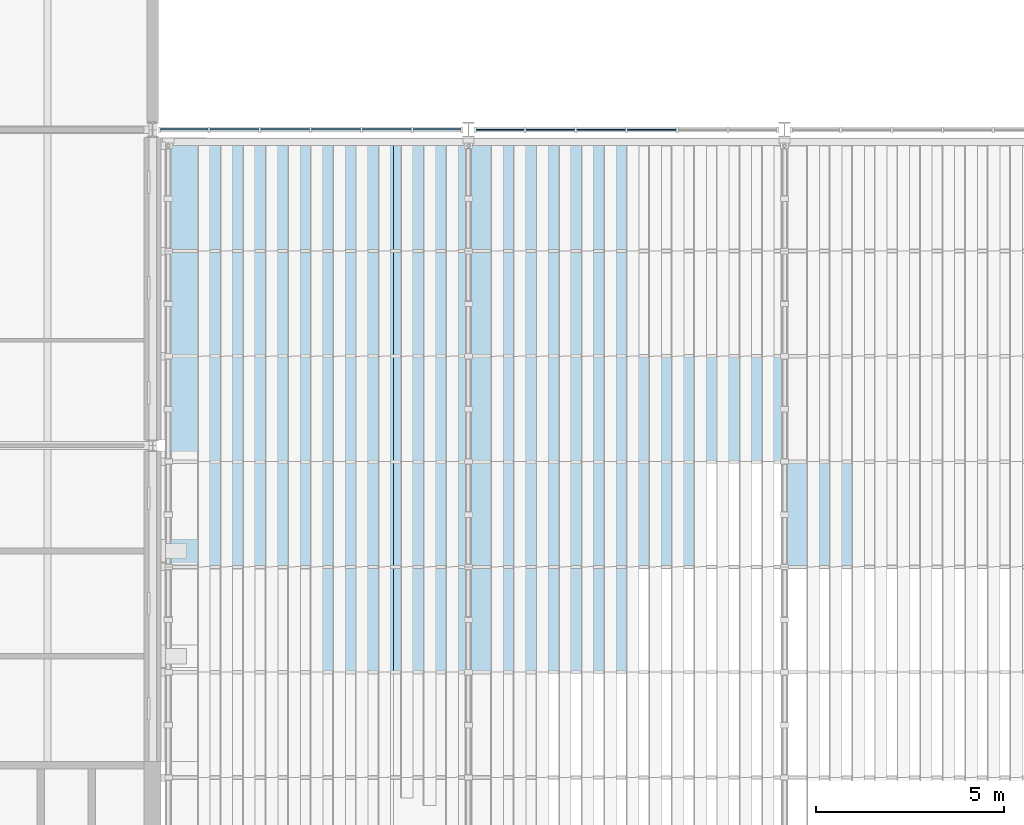
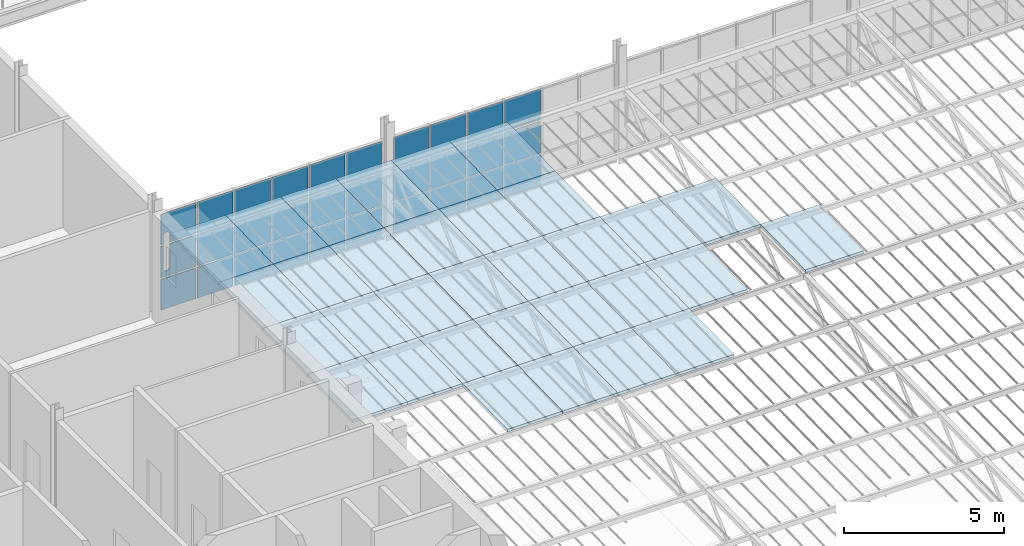
# One storey, part 68 of 129: 62 plates, 2 elements without a shape of their own.
"""IFC4 building model written with IfcOpenShell, lengths in metres."""

import ifcopenshell
import ifcopenshell.guid

model = None  # the IFC model being written
_history = None  # IfcOwnerHistory: only IFC2X3 demands one
_inside = {}  # id of a spatial element -> (the spatial element, [elements in it])
_under = {}  # id of a project, library or spatial element -> (it, [spatial elements below it])
_declared = {}  # id of a project -> (the project, [libraries it declares])
_typed = {}  # id of a type object -> (the type object, [elements of that type])
_made_of = {}  # id of a material, layer set ... -> (it, [elements and type objects made of it])


def new_model(schema):
    """Start an empty IFC model of exactly this schema.

    Asked for "IFC4X3", IfcOpenShell would pick the latest addendum, in which some entities
    have other attributes; the version numbers below select the first issue.
    IFC2X3 requires an IfcOwnerHistory on every rooted entity: one is made here for all.
    """
    global model, _history
    if schema == "IFC4X3":
        model = ifcopenshell.file(schema_version=(4, 3, 0, 0))
    else:
        model = ifcopenshell.file(schema=schema)
    _inside.clear()
    _under.clear()
    _declared.clear()
    _typed.clear()
    _made_of.clear()
    _history = None
    if model.schema == "IFC2X3":
        org = make("IfcOrganization", Name="unknown")
        user = make(
            "IfcPersonAndOrganization",
            ThePerson=make("IfcPerson", FamilyName="unknown"),
            TheOrganization=org,
        )
        app = make(
            "IfcApplication",
            ApplicationDeveloper=org,
            Version="unknown",
            ApplicationFullName="unknown",
            ApplicationIdentifier="unknown",
        )
        _history = make(
            "IfcOwnerHistory",
            OwningUser=user,
            OwningApplication=app,
            ChangeAction="ADDED",
            CreationDate=0,
        )
    return model


def make(cls, **values):
    """One entity of the class cls with the attributes given. An attribute that is None is left unset."""
    return model.create_entity(
        cls, **{name: value for name, value in values.items() if value is not None}
    )


def rooted(cls, **values):
    """An entity with a GlobalId (a new one), such as an element, a storey or a relation."""
    return make(cls, GlobalId=ifcopenshell.guid.new(), OwnerHistory=_history, **values)


def si_unit(unit_type, name, prefix=None):
    """IfcSIUnit, for example si_unit("LENGTHUNIT", "METRE", prefix="MILLI")."""
    return make("IfcSIUnit", UnitType=unit_type, Prefix=prefix, Name=name)


def assignment(units):
    """IfcUnitAssignment: the units of a project."""
    return None if units is None else make("IfcUnitAssignment", Units=units)


def point(xyz):
    """IfcCartesianPoint."""
    return None if xyz is None else make("IfcCartesianPoint", Coordinates=xyz)


def direction(xyz):
    """IfcDirection."""
    return None if xyz is None else make("IfcDirection", DirectionRatios=xyz)


def frame(location, z_axis=None, x_axis=None):
    """IfcAxis2Placement3D, a coordinate frame: its origin and axes. An axis left out is left unset."""
    return make(
        "IfcAxis2Placement3D",
        Location=point(location),
        Axis=direction(z_axis),
        RefDirection=direction(x_axis),
    )


def frame_2d(location, x_axis=None):
    """IfcAxis2Placement2D, a coordinate frame in the plane: its origin and x axis."""
    return make(
        "IfcAxis2Placement2D", Location=point(location), RefDirection=direction(x_axis)
    )


def origin():
    """The frame at (0, 0, 0) with its axes left unset."""
    return frame((0.0, 0.0, 0.0))


def origin_2d():
    """The frame at (0, 0) in the plane with its x axis left unset."""
    return frame_2d((0.0, 0.0))


def place(relative_to, where):
    """IfcLocalPlacement: puts the frame where relative to a parent placement (None: the world)."""
    return make(
        "IfcLocalPlacement", PlacementRelTo=relative_to, RelativePlacement=where
    )


def context(
    kind, dimensions, precision=None, world=None, true_north=None, identifier=None
):
    """IfcGeometricRepresentationContext, for example the 3D "Model" context."""
    return make(
        "IfcGeometricRepresentationContext",
        ContextIdentifier=identifier,
        ContextType=kind,
        CoordinateSpaceDimension=dimensions,
        Precision=precision,
        WorldCoordinateSystem=world,
        TrueNorth=true_north,
    )


def subcontext(parent, identifier, kind, view, scale=None):
    """IfcGeometricRepresentationSubContext, for example "Body" below "Model"."""
    return make(
        "IfcGeometricRepresentationSubContext",
        ContextIdentifier=identifier,
        ContextType=kind,
        ParentContext=parent,
        TargetScale=scale,
        TargetView=view,
    )


def project(units=None, contexts=None):
    """IfcProject with its units and contexts."""
    return rooted(
        "IfcProject",
        Name="project",
        RepresentationContexts=contexts,
        UnitsInContext=assignment(units),
    )


def spatial(cls, under=None, at=None, **own):
    """A site, building, storey or space (cls), placed at a placement, below another one or the project."""
    s = rooted(cls, ObjectPlacement=at, **own)
    if under is not None:
        _under.setdefault(under.id(), (under, []))[1].append(s)
    return s


def polyline(points):
    """IfcPolyline through the points."""
    return make("IfcPolyline", Points=[point(p) for p in points])


def profile(cls, at=None, kind="AREA", **sizes):
    """A parametric profile (cls). Its sizes go by their IFC names, for example OverallWidth=200.0."""
    return make(cls, ProfileType=kind, Position=at, **sizes)


def rectangle(**sizes):
    """IfcRectangleProfileDef."""
    return profile("IfcRectangleProfileDef", **sizes)


def outline(outer, holes=None, kind="AREA"):
    """IfcArbitraryClosedProfileDef: a profile drawn as a closed curve; with holes, ...WithVoids."""
    if holes is None:
        return make("IfcArbitraryClosedProfileDef", ProfileType=kind, OuterCurve=outer)
    return make(
        "IfcArbitraryProfileDefWithVoids",
        ProfileType=kind,
        OuterCurve=outer,
        InnerCurves=holes,
    )


def extrude(swept, where, along, depth):
    """IfcExtrudedAreaSolid: the profile swept, set in the frame where, extruded along a direction by depth."""
    return make(
        "IfcExtrudedAreaSolid",
        SweptArea=swept,
        Position=where,
        ExtrudedDirection=direction(along),
        Depth=depth,
    )


def shape(context_of_items, identifier, shape_type, items):
    """IfcShapeRepresentation: the items that make up one representation, for example the "Body"."""
    return make(
        "IfcShapeRepresentation",
        ContextOfItems=context_of_items,
        RepresentationIdentifier=identifier,
        RepresentationType=shape_type,
        Items=items,
    )


def material(Name=None, Category=None):
    """IfcMaterial."""
    return make("IfcMaterial", Name=Name, Category=Category)


def layer(
    of_material, thickness, ventilated=None, Name=None, Category=None, Priority=None
):
    """IfcMaterialLayer: one layer of a wall or slab, of a material (None: an air gap)."""
    return make(
        "IfcMaterialLayer",
        Material=of_material,
        LayerThickness=thickness,
        IsVentilated=ventilated,
        Name=Name,
        Category=Category,
        Priority=Priority,
    )


def layer_set(layers, Name=None):
    """IfcMaterialLayerSet."""
    return make("IfcMaterialLayerSet", MaterialLayers=layers, LayerSetName=Name)


def made_of(thing, what):
    """Note that an element or type object is made of a material, layer set ...; save() writes the relation."""
    if what is not None:
        _made_of.setdefault(what.id(), (what, []))[1].append(thing)
    return thing


def type_object(cls, material=None, **own):
    """A type object (cls), such as IfcWallType, which elements share."""
    return made_of(rooted(cls, **own), material)


def element(
    cls,
    number,
    at=None,
    inside=None,
    cuts=None,
    type_object=None,
    material=None,
    context=None,
    identifier="Body",
    shape_type=None,
    held_by="IfcProductDefinitionShape",
    body=None,
    shapes=None,
    **own,
):
    """One element of the class cls, such as IfcWall. Its Tag is "e" and its number.

    at: its placement. inside: the storey or other place that contains it. cuts: it is an
    opening in that element (IfcRelVoidsElement). A single representation is given by context,
    identifier, shape_type and body (its items); several are given by shapes. held_by: the class
    of the entity that holds the representations. save() writes the other relations.
    """
    e = rooted(cls, Tag="e%d" % number, ObjectPlacement=at, **own)
    if body is not None:
        shapes = [shape(context, identifier, shape_type, body)]
    if shapes is not None:
        e.Representation = make(held_by, Representations=shapes)
    if inside is not None:
        _inside.setdefault(inside.id(), (inside, []))[1].append(e)
    if cuts is not None:
        rooted(
            "IfcRelVoidsElement", RelatingBuildingElement=cuts, RelatedOpeningElement=e
        )
    if type_object is not None:
        _typed.setdefault(type_object.id(), (type_object, []))[1].append(e)
    return made_of(e, material)


def aggregate(whole, parts):
    """IfcRelAggregates: a whole, such as a stair, and the parts it consists of."""
    return rooted("IfcRelAggregates", RelatingObject=whole, RelatedObjects=parts)


def save(model, path):
    """Write the relations noted so far, then the file.

    IfcRelAggregates (storeys below a building ...), IfcRelContainedInSpatialStructure (elements
    in a storey), IfcRelDefinesByType, IfcRelAssociatesMaterial and IfcRelDeclares: one each for
    every whole, place, type object, material and project.
    """
    for whole, parts in _under.values():
        aggregate(whole, parts)
    for where, things in _inside.values():
        rooted(
            "IfcRelContainedInSpatialStructure",
            RelatedElements=things,
            RelatingStructure=where,
        )
    for kind, things in _typed.values():
        rooted("IfcRelDefinesByType", RelatedObjects=things, RelatingType=kind)
    for what, things in _made_of.values():
        rooted("IfcRelAssociatesMaterial", RelatedObjects=things, RelatingMaterial=what)
    for by, libraries in _declared.values():
        rooted("IfcRelDeclares", RelatingContext=by, RelatedDefinitions=libraries)
    model.write(path)


model = new_model("IFC4")

# Units and contexts
model_context = context("Model", 3, precision=1e-05, world=origin(), true_north=direction((0.0, 1.0)))
body_context = subcontext(model_context, "Body", "Model", "MODEL_VIEW")
ifc_project = project(units=[si_unit("LENGTHUNIT", "METRE"), si_unit("AREAUNIT", "SQUARE_METRE"), si_unit("VOLUMEUNIT", "CUBIC_METRE"), si_unit("PLANEANGLEUNIT", "RADIAN"), si_unit("MASSUNIT", "GRAM", prefix="KILO")], contexts=[model_context])

# Site, building, storey
site_placement = place(None, origin())
site = spatial("IfcSite", under=ifc_project, at=site_placement, CompositionType="ELEMENT")
building_placement = place(site_placement, origin())
building = spatial("IfcBuilding", under=site, at=building_placement, Name="Ardhachandra Cancer Care Centre", CompositionType="ELEMENT")
storey_placement = place(building_placement, frame((0.0, 0.0, 4.5)))
storey = spatial("IfcBuildingStorey", under=building, at=storey_placement, Name="L01", CompositionType="ELEMENT", Elevation=4.5)

# Plates
ifc_material_1 = material(Name="Glass, laminated low-e insulating unit", Category="glass")
ifc_layer_1 = layer(ifc_material_1, 0.1201171875)
ifc_layer_set_1 = layer_set([ifc_layer_1], Name="Glass, laminated low-e insulating unit")
plate_type_1 = type_object("IfcPlateType", Name="Court glass cassette 120", PredefinedType="SHEET", material=ifc_layer_set_1)
for number, where, z_axis, x_axis, name in (
    (1, (46.811279296875, 51.375, 3.007568359375), (0.0, -0.019934189218, 0.999801294308), (-1.0, 0.0, 0.0), "Court glass cassette 1-1-1"),
    (2, (48.8076171875, 51.375, 3.007568359375), (0.0, -0.019934189218, 0.999801294308), (-1.0, 0.0, 0.0), "Court glass cassette 1-1-2"),
):
    element("IfcPlate", number, at=place(storey_placement, frame(where, z_axis=z_axis, x_axis=x_axis)), inside=storey, type_object=plate_type_1, Name=name, PredefinedType="SHEET", context=body_context, shape_type="SweptSolid", body=[
        extrude(outline(polyline([(0.0, -3.00048828125), (1.996337890625, -3.00048828125), (1.996337890625, 0.0), (0.0, 0.0), (0.0, -3.00048828125)])), frame((0.0, 0.0, -0.1201171875)), (0.0, 0.0, 1.0), 0.1201171875),
    ])
plate_1_placement = place(storey_placement, frame((50.8037109375, 51.375, 3.007568359375), z_axis=(0.0, -0.019934189218, 0.999801294308), x_axis=(-1.0, 0.0, 0.0)))
element("IfcPlate", 3, at=plate_1_placement, inside=storey, type_object=plate_type_1, Name="Court glass cassette 1-1-3", PredefinedType="SHEET", context=body_context, shape_type="SweptSolid", body=[
    extrude(outline(polyline([(0.0, -3.00048828125), (1.99609375, -3.00048828125), (1.99609375, 0.0), (0.0, 0.0), (0.0, -3.00048828125)])), frame((0.0, 0.0, -0.1201171875)), (0.0, 0.0, 1.0), 0.1201171875),
])
plate_2_placement = place(storey_placement, frame((52.800048828125, 51.375, 3.007568359375), z_axis=(0.0, -0.019934189218, 0.999801294308), x_axis=(-1.0, 0.0, 0.0)))
element("IfcPlate", 4, at=plate_2_placement, inside=storey, type_object=plate_type_1, Name="Court glass cassette 1-1-4", PredefinedType="SHEET", context=body_context, shape_type="SweptSolid", body=[
    extrude(outline(polyline([(0.0, -3.00048828125), (1.996337890625, -3.00048828125), (1.996337890625, 0.0), (0.0, 0.0), (0.0, -3.00048828125)])), frame((0.0, 0.0, -0.1201171875)), (0.0, 0.0, 1.0), 0.1201171875),
])
for number, where, z_axis, x_axis, name in (
    (5, (46.811279296875, 51.375, 3.007568359375), (0.0, -0.02005002746, 0.999798977995), (0.0, -0.999798977995, -0.02005002746), "Court glass cassette 1-2-1"),
    (6, (46.811279296875, 48.574951171875, 2.951416015625), (0.0, -0.02005002746, 0.999798977995), (0.0, 0.999798977995, 0.02005002746), "Court glass cassette 1-2-2"),
):
    element("IfcPlate", number, at=place(storey_placement, frame(where, z_axis=z_axis, x_axis=x_axis)), inside=storey, type_object=plate_type_1, Name=name, PredefinedType="SHEET", context=body_context, shape_type="SweptSolid", body=[
        extrude(outline(polyline([(0.0, -1.996337890625), (2.800537109375, -1.996337890625), (2.800537109375, 0.0), (0.0, 0.0), (0.0, -1.996337890625)])), frame((0.0, 0.0, -0.1201171875)), (0.0, 0.0, 1.0), 0.1201171875),
    ])
plate_3_placement = place(storey_placement, frame((48.8076171875, 48.574951171875, 2.951416015625), z_axis=(0.0, -0.02005002746, 0.999798977995), x_axis=(0.0, 0.999798977995, 0.02005002746)))
element("IfcPlate", 7, at=plate_3_placement, inside=storey, type_object=plate_type_1, Name="Court glass cassette 1-2-3", PredefinedType="SHEET", context=body_context, shape_type="SweptSolid", body=[
    extrude(outline(polyline([(0.0, -1.99609375), (2.800537109375, -1.99609375), (2.800537109375, 0.0), (0.0, 0.0), (0.0, -1.99609375)])), frame((0.0, 0.0, -0.1201171875)), (0.0, 0.0, 1.0), 0.1201171875),
])
for number, where, z_axis, x_axis, name in (
    (8, (50.8037109375, 48.574951171875, 2.951416015625), (0.0, -0.02005002746, 0.999798977995), (0.0, 0.999798977995, 0.02005002746), "Court glass cassette 1-2-4"),
    (9, (46.811279296875, 48.574951171875, 2.951416015625), (0.0, -0.019962888244, 0.999800721691), (0.0, -0.999800721691, -0.019962888244), "Court glass cassette 1-3-1"),
    (10, (46.811279296875, 45.77490234375, 2.8955078125), (0.0, -0.019962888244, 0.999800721691), (0.0, 0.999800721691, 0.019962888244), "Court glass cassette 1-3-2"),
):
    element("IfcPlate", number, at=place(storey_placement, frame(where, z_axis=z_axis, x_axis=x_axis)), inside=storey, type_object=plate_type_1, Name=name, PredefinedType="SHEET", context=body_context, shape_type="SweptSolid", body=[
        extrude(outline(polyline([(0.0, -1.996337890625), (2.800537109375, -1.996337890625), (2.800537109375, 0.0), (0.0, 0.0), (0.0, -1.996337890625)])), frame((0.0, 0.0, -0.1201171875)), (0.0, 0.0, 1.0), 0.1201171875),
    ])
plate_4_placement = place(storey_placement, frame((48.8076171875, 45.77490234375, 2.8955078125), z_axis=(0.0, -0.019962888244, 0.999800721691), x_axis=(0.0, 0.999800721691, 0.019962888244)))
element("IfcPlate", 11, at=plate_4_placement, inside=storey, type_object=plate_type_1, Name="Court glass cassette 1-3-3", PredefinedType="SHEET", context=body_context, shape_type="SweptSolid", body=[
    extrude(outline(polyline([(0.0, -1.99609375), (2.800537109375, -1.99609375), (2.800537109375, 0.0), (0.0, 0.0), (0.0, -1.99609375)])), frame((0.0, 0.0, -0.1201171875)), (0.0, 0.0, 1.0), 0.1201171875),
])
plate_5_placement = place(storey_placement, frame((50.8037109375, 45.77490234375, 2.8955078125), z_axis=(0.0, -0.019962888244, 0.999800721691), x_axis=(0.0, 0.999800721691, 0.019962888244)))
element("IfcPlate", 12, at=plate_5_placement, inside=storey, type_object=plate_type_1, Name="Court glass cassette 1-3-4", PredefinedType="SHEET", context=body_context, shape_type="SweptSolid", body=[
    extrude(outline(polyline([(0.0, -1.996337890625), (2.800537109375, -1.996337890625), (2.800537109375, 0.0), (0.0, 0.0), (0.0, -1.996337890625)])), frame((0.0, 0.0, -0.1201171875)), (0.0, 0.0, 1.0), 0.1201171875),
])
for number, where, z_axis, x_axis, name in (
    (13, (46.811279296875, 45.77490234375, 2.8955078125), (0.0, -0.019964628297, 0.999800686946), (0.0, -0.999800686946, -0.019964628297), "Court glass cassette 1-4-1"),
    (14, (46.811279296875, 42.97509765625, 2.839599609375), (0.0, -0.019964628297, 0.999800686946), (0.0, 0.999800686946, 0.019964628297), "Court glass cassette 1-4-2"),
):
    element("IfcPlate", number, at=place(storey_placement, frame(where, z_axis=z_axis, x_axis=x_axis)), inside=storey, type_object=plate_type_1, Name=name, PredefinedType="SHEET", context=body_context, shape_type="SweptSolid", body=[
        extrude(outline(polyline([(0.0, -1.996337890625), (2.80029296875, -1.996337890625), (2.80029296875, 0.0), (0.0, 0.0), (0.0, -1.996337890625)])), frame((0.0, 0.0, -0.1201171875)), (0.0, 0.0, 1.0), 0.1201171875),
    ])
plate_6_placement = place(storey_placement, frame((48.8076171875, 42.97509765625, 2.839599609375), z_axis=(0.0, -0.019964628297, 0.999800686946), x_axis=(0.0, 0.999800686946, 0.019964628297)))
element("IfcPlate", 15, at=plate_6_placement, inside=storey, type_object=plate_type_1, Name="Court glass cassette 1-4-3", PredefinedType="SHEET", context=body_context, shape_type="SweptSolid", body=[
    extrude(outline(polyline([(0.0, -1.99609375), (2.80029296875, -1.99609375), (2.80029296875, 0.0), (0.0, 0.0), (0.0, -1.99609375)])), frame((0.0, 0.0, -0.1201171875)), (0.0, 0.0, 1.0), 0.1201171875),
])
plate_7_placement = place(storey_placement, frame((50.8037109375, 42.97509765625, 2.839599609375), z_axis=(0.0, -0.019964628297, 0.999800686946), x_axis=(0.0, 0.999800686946, 0.019964628297)))
element("IfcPlate", 16, at=plate_7_placement, inside=storey, type_object=plate_type_1, Name="Court glass cassette 1-4-4", PredefinedType="SHEET", context=body_context, shape_type="SweptSolid", body=[
    extrude(outline(polyline([(0.0, -1.996337890625), (2.80029296875, -1.996337890625), (2.80029296875, 0.0), (0.0, 0.0), (0.0, -1.996337890625)])), frame((0.0, 0.0, -0.1201171875)), (0.0, 0.0, 1.0), 0.1201171875),
])
plate_8_placement = place(storey_placement, frame((48.8076171875, 40.175048828125, 2.783447265625), z_axis=(0.0, -0.02005002746, 0.999798977995), x_axis=(0.0, 0.999798977995, 0.02005002746)))
element("IfcPlate", 17, at=plate_8_placement, inside=storey, type_object=plate_type_1, Name="Court glass cassette 1-5-3", PredefinedType="SHEET", context=body_context, shape_type="SweptSolid", body=[
    extrude(outline(polyline([(0.0, -1.99609375), (2.800537109375, -1.99609375), (2.800537109375, 0.0), (0.0, 0.0), (0.0, -1.99609375)])), frame((0.0, 0.0, -0.1201171875)), (0.0, 0.0, 1.0), 0.1201171875),
])
plate_9_placement = place(storey_placement, frame((50.8037109375, 40.175048828125, 2.783447265625), z_axis=(0.0, -0.02005002746, 0.999798977995), x_axis=(0.0, 0.999798977995, 0.02005002746)))
element("IfcPlate", 18, at=plate_9_placement, inside=storey, type_object=plate_type_1, Name="Court glass cassette 1-5-4", PredefinedType="SHEET", context=body_context, shape_type="SweptSolid", body=[
    extrude(outline(polyline([(0.0, -1.996337890625), (2.800537109375, -1.996337890625), (2.800537109375, 0.0), (0.0, 0.0), (0.0, -1.996337890625)])), frame((0.0, 0.0, -0.1201171875)), (0.0, 0.0, 1.0), 0.1201171875),
])
plate_10_placement = place(storey_placement, frame((54.89990234375, 51.375, 3.007568359375), z_axis=(0.0, -0.019934189218, 0.999801294308), x_axis=(-1.0, 0.0, 0.0)))
element("IfcPlate", 19, at=plate_10_placement, inside=storey, type_object=plate_type_1, Name="Court glass cassette 2-1-1", PredefinedType="SHEET", context=body_context, shape_type="SweptSolid", body=[
    extrude(outline(polyline([(0.0, -3.00048828125), (2.099853515625, -3.00048828125), (2.099853515625, 0.0), (0.0, 0.0), (0.0, -3.00048828125)])), frame((0.0, 0.0, -0.1201171875)), (0.0, 0.0, 1.0), 0.1201171875),
])
plate_11_placement = place(storey_placement, frame((57.0, 51.375, 3.007568359375), z_axis=(0.0, -0.019934189218, 0.999801294308), x_axis=(-1.0, 0.0, 0.0)))
element("IfcPlate", 20, at=plate_11_placement, inside=storey, type_object=plate_type_1, Name="Court glass cassette 2-1-2", PredefinedType="SHEET", context=body_context, shape_type="SweptSolid", body=[
    extrude(outline(polyline([(0.0, -3.00048828125), (2.10009765625, -3.00048828125), (2.10009765625, 0.0), (0.0, 0.0), (0.0, -3.00048828125)])), frame((0.0, 0.0, -0.1201171875)), (0.0, 0.0, 1.0), 0.1201171875),
])
plate_12_placement = place(storey_placement, frame((52.800048828125, 48.574951171875, 2.951416015625), z_axis=(0.0, -0.02005002746, 0.999798977995), x_axis=(0.0, 0.999798977995, 0.02005002746)))
element("IfcPlate", 21, at=plate_12_placement, inside=storey, type_object=plate_type_1, Name="Court glass cassette 2-2-1", PredefinedType="SHEET", context=body_context, shape_type="SweptSolid", body=[
    extrude(outline(polyline([(0.0, -2.099853515625), (2.800537109375, -2.099853515625), (2.800537109375, 0.0), (0.0, 0.0), (0.0, -2.099853515625)])), frame((0.0, 0.0, -0.1201171875)), (0.0, 0.0, 1.0), 0.1201171875),
])
plate_13_placement = place(storey_placement, frame((54.89990234375, 48.574951171875, 2.951416015625), z_axis=(0.0, -0.02005002746, 0.999798977995), x_axis=(0.0, 0.999798977995, 0.02005002746)))
element("IfcPlate", 22, at=plate_13_placement, inside=storey, type_object=plate_type_1, Name="Court glass cassette 2-2-2", PredefinedType="SHEET", context=body_context, shape_type="SweptSolid", body=[
    extrude(outline(polyline([(0.0, -2.10009765625), (2.800537109375, -2.10009765625), (2.800537109375, 0.0), (0.0, 0.0), (0.0, -2.10009765625)])), frame((0.0, 0.0, -0.1201171875)), (0.0, 0.0, 1.0), 0.1201171875),
])
plate_14_placement = place(storey_placement, frame((52.800048828125, 45.77490234375, 2.8955078125), z_axis=(0.0, -0.019962888244, 0.999800721691), x_axis=(0.0, 0.999800721691, 0.019962888244)))
element("IfcPlate", 23, at=plate_14_placement, inside=storey, type_object=plate_type_1, Name="Court glass cassette 2-3-1", PredefinedType="SHEET", context=body_context, shape_type="SweptSolid", body=[
    extrude(outline(polyline([(0.0, -2.099853515625), (2.800537109375, -2.099853515625), (2.800537109375, 0.0), (0.0, 0.0), (0.0, -2.099853515625)])), frame((0.0, 0.0, -0.1201171875)), (0.0, 0.0, 1.0), 0.1201171875),
])
for number, where, z_axis, x_axis, name in (
    (24, (54.89990234375, 45.77490234375, 2.8955078125), (0.0, -0.019962888244, 0.999800721691), (0.0, 0.999800721691, 0.019962888244), "Court glass cassette 2-3-2"),
    (25, (57.0, 45.77490234375, 2.8955078125), (0.0, -0.019962888244, 0.999800721691), (0.0, 0.999800721691, 0.019962888244), "Court glass cassette 2-3-3"),
):
    element("IfcPlate", number, at=place(storey_placement, frame(where, z_axis=z_axis, x_axis=x_axis)), inside=storey, type_object=plate_type_1, Name=name, PredefinedType="SHEET", context=body_context, shape_type="SweptSolid", body=[
        extrude(outline(polyline([(0.0, -2.10009765625), (2.800537109375, -2.10009765625), (2.800537109375, 0.0), (0.0, 0.0), (0.0, -2.10009765625)])), frame((0.0, 0.0, -0.1201171875)), (0.0, 0.0, 1.0), 0.1201171875),
    ])
plate_15_placement = place(storey_placement, frame((59.10009765625, 45.77490234375, 2.8955078125), z_axis=(0.0, -0.019962888244, 0.999800721691), x_axis=(0.0, 0.999800721691, 0.019962888244)))
element("IfcPlate", 26, at=plate_15_placement, inside=storey, type_object=plate_type_1, Name="Court glass cassette 2-3-4", PredefinedType="SHEET", context=body_context, shape_type="SweptSolid", body=[
    extrude(outline(polyline([(0.0, -2.099853515625), (2.800537109375, -2.099853515625), (2.800537109375, 0.0), (0.0, 0.0), (0.0, -2.099853515625)])), frame((0.0, 0.0, -0.1201171875)), (0.0, 0.0, 1.0), 0.1201171875),
])
plate_16_placement = place(storey_placement, frame((52.800048828125, 42.97509765625, 2.839599609375), z_axis=(0.0, -0.019964628297, 0.999800686946), x_axis=(0.0, 0.999800686946, 0.019964628297)))
element("IfcPlate", 27, at=plate_16_placement, inside=storey, type_object=plate_type_1, Name="Court glass cassette 2-4-1", PredefinedType="SHEET", context=body_context, shape_type="SweptSolid", body=[
    extrude(outline(polyline([(0.0, -2.099853515625), (2.80029296875, -2.099853515625), (2.80029296875, 0.0), (0.0, 0.0), (0.0, -2.099853515625)])), frame((0.0, 0.0, -0.1201171875)), (0.0, 0.0, 1.0), 0.1201171875),
])
for number, where, z_axis, x_axis, name in (
    (28, (54.89990234375, 42.97509765625, 2.839599609375), (0.0, -0.019964628297, 0.999800686946), (0.0, 0.999800686946, 0.019964628297), "Court glass cassette 2-4-2"),
    (29, (57.0, 42.97509765625, 2.839599609375), (0.0, -0.019964628297, 0.999800686946), (0.0, 0.999800686946, 0.019964628297), "Court glass cassette 2-4-3"),
):
    element("IfcPlate", number, at=place(storey_placement, frame(where, z_axis=z_axis, x_axis=x_axis)), inside=storey, type_object=plate_type_1, Name=name, PredefinedType="SHEET", context=body_context, shape_type="SweptSolid", body=[
        extrude(outline(polyline([(0.0, -2.10009765625), (2.80029296875, -2.10009765625), (2.80029296875, 0.0), (0.0, 0.0), (0.0, -2.10009765625)])), frame((0.0, 0.0, -0.1201171875)), (0.0, 0.0, 1.0), 0.1201171875),
    ])
plate_17_placement = place(storey_placement, frame((52.800048828125, 40.175048828125, 2.783447265625), z_axis=(0.0, -0.02005002746, 0.999798977995), x_axis=(0.0, 0.999798977995, 0.02005002746)))
element("IfcPlate", 30, at=plate_17_placement, inside=storey, type_object=plate_type_1, Name="Court glass cassette 2-5-1", PredefinedType="SHEET", context=body_context, shape_type="SweptSolid", body=[
    extrude(outline(polyline([(0.0, -2.099853515625), (2.800537109375, -2.099853515625), (2.800537109375, 0.0), (0.0, 0.0), (0.0, -2.099853515625)])), frame((0.0, 0.0, -0.1201171875)), (0.0, 0.0, 1.0), 0.1201171875),
])
plate_18_placement = place(storey_placement, frame((54.89990234375, 40.175048828125, 2.783447265625), z_axis=(0.0, -0.02005002746, 0.999798977995), x_axis=(0.0, 0.999798977995, 0.02005002746)))
element("IfcPlate", 31, at=plate_18_placement, inside=storey, type_object=plate_type_1, Name="Court glass cassette 2-5-2", PredefinedType="SHEET", context=body_context, shape_type="SweptSolid", body=[
    extrude(outline(polyline([(0.0, -2.10009765625), (2.800537109375, -2.10009765625), (2.800537109375, 0.0), (0.0, 0.0), (0.0, -2.10009765625)])), frame((0.0, 0.0, -0.1201171875)), (0.0, 0.0, 1.0), 0.1201171875),
])
plate_19_placement = place(storey_placement, frame((61.199951171875, 42.97509765625, 2.839599609375), z_axis=(0.0, -0.019964628297, 0.999800686946), x_axis=(0.0, 0.999800686946, 0.019964628297)))
element("IfcPlate", 32, at=plate_19_placement, inside=storey, type_object=plate_type_1, Name="Court glass cassette 3-4-1", PredefinedType="SHEET", context=body_context, shape_type="SweptSolid", body=[
    extrude(outline(polyline([(0.0, -2.10009765625), (2.80029296875, -2.10009765625), (2.80029296875, 0.0), (0.0, 0.0), (0.0, -2.10009765625)])), frame((0.0, 0.0, -0.1201171875)), (0.0, 0.0, 1.0), 0.1201171875),
])

# Curtain wall, plates
ifc_material_2 = material(Name="Aluminium extrusion", Category="aluminium")
ifc_layer_2 = layer(ifc_material_2, 0.14990234375)
ifc_layer_set_2 = layer_set([ifc_layer_2], Name="Aluminium extrusion")
curtain_wall_type = type_object("IfcCurtainWallType", Name="Curtain wall run", PredefinedType="NOTDEFINED", material=ifc_layer_set_2)
curtain_wall_1_placement = place(storey_placement, origin())
curtain_wall_1 = element("IfcCurtainWall", 33, at=curtain_wall_1_placement, inside=storey, type_object=curtain_wall_type, Name="Curtain wall L01 s/0044400_0054600", PredefinedType="NOTDEFINED")
ifc_material_3 = material(Name="Low-iron double-glazed unit")
ifc_layer_3 = layer(ifc_material_3, 0.028076171875)
ifc_layer_set_3 = layer_set([ifc_layer_3], Name="Low-iron double-glazed unit")
plate_type_2 = type_object("IfcPlateType", Name="Curtain wall glazing 28", PredefinedType="CURTAIN_PANEL", material=ifc_layer_set_3)
plate_20_placement = place(storey_placement, frame((44.610107421875, 54.60009765625, 0.06005859375), z_axis=(0.0, 1.0, 0.0), x_axis=(0.0, 0.0, 1.0)))
plate_20 = element("IfcPlate", 34, at=plate_20_placement, type_object=plate_type_2, Name="CW panel 1.1", PredefinedType="CURTAIN_PANEL", context=body_context, shape_type="SweptSolid", body=[
    extrude(outline(polyline([(0.0, 0.0), (1.170166015625, 0.0), (1.170166015625, 1.260009765625), (0.0, 1.260009765625), (0.0, 0.0)])), origin(), (0.0, 0.0, 1.0), 0.028076171875),
])
plate_21_placement = place(storey_placement, frame((45.8701171875, 54.60009765625, 2.490234375), z_axis=(0.0, 1.0, 0.0), x_axis=(0.0, 0.0, -1.0)))
plate_21 = element("IfcPlate", 35, at=plate_21_placement, type_object=plate_type_2, Name="CW panel 1.2", PredefinedType="CURTAIN_PANEL", context=body_context, shape_type="SweptSolid", body=[
    extrude(outline(polyline([(0.0, 0.0), (1.2001953125, 0.0), (1.2001953125, 1.260009765625), (0.0, 1.260009765625), (0.0, 1.17236328125), (0.877197265625, 1.17236328125), (0.900146484375, 1.169921875), (0.932373046875, 1.158447265625), (0.951416015625, 1.145751953125), (0.9677734375, 1.12939453125), (0.98046875, 1.1103515625), (0.9892578125, 1.089111328125), (0.994384765625, 1.05517578125), (0.9892578125, 1.02099609375), (0.98046875, 1.0), (0.9677734375, 0.980712890625), (0.951416015625, 0.964599609375), (0.932373046875, 0.951904296875), (0.9111328125, 0.943115234375), (0.888671875, 0.9384765625), (0.0, 0.93798828125), (0.0, 0.0)])), origin(), (0.0, 0.0, 1.0), 0.028076171875),
])
plate_22_placement = place(storey_placement, frame((44.610107421875, 54.60009765625, 2.55029296875), z_axis=(0.0, 1.0, 0.0), x_axis=(0.0, 0.0, 1.0)))
plate_22 = element("IfcPlate", 36, at=plate_22_placement, type_object=plate_type_2, Name="CW panel 1.3", PredefinedType="CURTAIN_PANEL", context=body_context, shape_type="SweptSolid", body=[
    extrude(outline(polyline([(0.0, 0.0), (1.170166015625, 0.0), (1.170166015625, 1.260009765625), (0.0, 1.260009765625), (0.0, 0.322021484375), (0.30322265625, 0.322021484375), (0.337158203125, 0.31689453125), (0.368408203125, 0.30224609375), (0.393798828125, 0.279296875), (0.406494140625, 0.260009765625), (0.415283203125, 0.239013671875), (0.42041015625, 0.204833984375), (0.415283203125, 0.1708984375), (0.406494140625, 0.149658203125), (0.393798828125, 0.130615234375), (0.368408203125, 0.107421875), (0.337158203125, 0.0927734375), (0.30322265625, 0.087646484375), (0.0, 0.087646484375), (0.0, 0.0)])), origin(), (0.0, 0.0, 1.0), 0.028076171875),
])
plate_23_placement = place(storey_placement, frame((45.929931640625, 54.60009765625, 0.06005859375), z_axis=(0.0, 1.0, 0.0), x_axis=(0.0, 0.0, 1.0)))
plate_23 = element("IfcPlate", 37, at=plate_23_placement, type_object=plate_type_2, Name="CW panel 2.1", PredefinedType="CURTAIN_PANEL", context=body_context, shape_type="SweptSolid", body=[
    extrude(outline(polyline([(0.0, 0.0), (1.170166015625, 0.0), (1.170166015625, 1.2900390625), (0.0, 1.2900390625), (0.0, 0.0)])), origin(), (0.0, 0.0, 1.0), 0.028076171875),
])
plate_24_placement = place(storey_placement, frame((45.929931640625, 54.60009765625, 1.2900390625), z_axis=(0.0, 1.0, 0.0), x_axis=(0.0, 0.0, 1.0)))
plate_24 = element("IfcPlate", 38, at=plate_24_placement, type_object=plate_type_2, Name="CW panel 2.2", PredefinedType="CURTAIN_PANEL", context=body_context, shape_type="SweptSolid", body=[
    extrude(outline(polyline([(0.0, 0.0), (1.2001953125, 0.0), (1.2001953125, 1.2900390625), (0.0, 1.2900390625), (0.0, 0.0)])), origin(), (0.0, 0.0, 1.0), 0.028076171875),
])
plate_25_placement = place(storey_placement, frame((45.929931640625, 54.60009765625, 2.55029296875), z_axis=(0.0, 1.0, 0.0), x_axis=(0.0, 0.0, 1.0)))
plate_25 = element("IfcPlate", 39, at=plate_25_placement, type_object=plate_type_2, Name="CW panel 2.3", PredefinedType="CURTAIN_PANEL", context=body_context, shape_type="SweptSolid", body=[
    extrude(outline(polyline([(0.0, 0.0), (1.170166015625, 0.0), (1.170166015625, 1.2900390625), (0.0, 1.2900390625), (0.0, 0.0)])), origin(), (0.0, 0.0, 1.0), 0.028076171875),
])
plate_26_placement = place(storey_placement, frame((47.280029296875, 54.60009765625, 0.06005859375), z_axis=(0.0, 1.0, 0.0), x_axis=(0.0, 0.0, 1.0)))
plate_26 = element("IfcPlate", 40, at=plate_26_placement, type_object=plate_type_2, Name="CW panel 3.1", PredefinedType="CURTAIN_PANEL", context=body_context, shape_type="SweptSolid", body=[
    extrude(outline(polyline([(0.0, 0.0), (1.170166015625, 0.0), (1.170166015625, 1.2900390625), (0.0, 1.2900390625), (0.0, 0.0)])), origin(), (0.0, 0.0, 1.0), 0.028076171875),
])
plate_27_placement = place(storey_placement, frame((47.280029296875, 54.60009765625, 1.2900390625), z_axis=(0.0, 1.0, 0.0), x_axis=(0.0, 0.0, 1.0)))
plate_27 = element("IfcPlate", 41, at=plate_27_placement, type_object=plate_type_2, Name="CW panel 3.2", PredefinedType="CURTAIN_PANEL", context=body_context, shape_type="SweptSolid", body=[
    extrude(outline(polyline([(0.0, 0.0), (1.2001953125, 0.0), (1.2001953125, 1.2900390625), (0.0, 1.2900390625), (0.0, 0.0)])), origin(), (0.0, 0.0, 1.0), 0.028076171875),
])
plate_28_placement = place(storey_placement, frame((47.280029296875, 54.60009765625, 2.55029296875), z_axis=(0.0, 1.0, 0.0), x_axis=(0.0, 0.0, 1.0)))
plate_28 = element("IfcPlate", 42, at=plate_28_placement, type_object=plate_type_2, Name="CW panel 3.3", PredefinedType="CURTAIN_PANEL", context=body_context, shape_type="SweptSolid", body=[
    extrude(outline(polyline([(0.0, 0.0), (1.170166015625, 0.0), (1.170166015625, 1.2900390625), (0.0, 1.2900390625), (0.0, 0.0)])), origin(), (0.0, 0.0, 1.0), 0.028076171875),
])
plate_29_placement = place(storey_placement, frame((48.6298828125, 54.60009765625, 0.06005859375), z_axis=(0.0, 1.0, 0.0), x_axis=(0.0, 0.0, 1.0)))
plate_29 = element("IfcPlate", 43, at=plate_29_placement, type_object=plate_type_2, Name="CW panel 4.1", PredefinedType="CURTAIN_PANEL", context=body_context, shape_type="SweptSolid", body=[
    extrude(outline(polyline([(0.0, 0.0), (1.170166015625, 0.0), (1.170166015625, 1.2900390625), (0.0, 1.2900390625), (0.0, 0.0)])), origin(), (0.0, 0.0, 1.0), 0.028076171875),
])
plate_30_placement = place(storey_placement, frame((48.6298828125, 54.60009765625, 1.2900390625), z_axis=(0.0, 1.0, 0.0), x_axis=(0.0, 0.0, 1.0)))
plate_30 = element("IfcPlate", 44, at=plate_30_placement, type_object=plate_type_2, Name="CW panel 4.2", PredefinedType="CURTAIN_PANEL", context=body_context, shape_type="SweptSolid", body=[
    extrude(outline(polyline([(0.0, 0.0), (1.2001953125, 0.0), (1.2001953125, 1.2900390625), (0.0, 1.2900390625), (0.0, 0.0)])), origin(), (0.0, 0.0, 1.0), 0.028076171875),
])
plate_31_placement = place(storey_placement, frame((48.6298828125, 54.60009765625, 2.55029296875), z_axis=(0.0, 1.0, 0.0), x_axis=(0.0, 0.0, 1.0)))
plate_31 = element("IfcPlate", 45, at=plate_31_placement, type_object=plate_type_2, Name="CW panel 4.3", PredefinedType="CURTAIN_PANEL", context=body_context, shape_type="SweptSolid", body=[
    extrude(outline(polyline([(0.0, 0.0), (1.170166015625, 0.0), (1.170166015625, 1.2900390625), (0.0, 1.2900390625), (0.0, 0.0)])), origin(), (0.0, 0.0, 1.0), 0.028076171875),
])
plate_32_placement = place(storey_placement, frame((49.97998046875, 54.60009765625, 0.06005859375), z_axis=(0.0, 1.0, 0.0), x_axis=(0.0, 0.0, 1.0)))
plate_32 = element("IfcPlate", 46, at=plate_32_placement, type_object=plate_type_2, Name="CW panel 5.1", PredefinedType="CURTAIN_PANEL", context=body_context, shape_type="SweptSolid", body=[
    extrude(outline(polyline([(0.0, 0.0), (1.170166015625, 0.0), (1.170166015625, 1.2900390625), (0.0, 1.2900390625), (0.0, 0.0)])), origin(), (0.0, 0.0, 1.0), 0.028076171875),
])
plate_33_placement = place(storey_placement, frame((49.97998046875, 54.60009765625, 1.2900390625), z_axis=(0.0, 1.0, 0.0), x_axis=(0.0, 0.0, 1.0)))
plate_33 = element("IfcPlate", 47, at=plate_33_placement, type_object=plate_type_2, Name="CW panel 5.2", PredefinedType="CURTAIN_PANEL", context=body_context, shape_type="SweptSolid", body=[
    extrude(outline(polyline([(0.0, 0.0), (1.2001953125, 0.0), (1.2001953125, 1.2900390625), (0.0, 1.2900390625), (0.0, 0.0)])), origin(), (0.0, 0.0, 1.0), 0.028076171875),
])
plate_34_placement = place(storey_placement, frame((49.97998046875, 54.60009765625, 2.55029296875), z_axis=(0.0, 1.0, 0.0), x_axis=(0.0, 0.0, 1.0)))
plate_34 = element("IfcPlate", 48, at=plate_34_placement, type_object=plate_type_2, Name="CW panel 5.3", PredefinedType="CURTAIN_PANEL", context=body_context, shape_type="SweptSolid", body=[
    extrude(outline(polyline([(0.0, 0.0), (1.170166015625, 0.0), (1.170166015625, 1.2900390625), (0.0, 1.2900390625), (0.0, 0.0)])), origin(), (0.0, 0.0, 1.0), 0.028076171875),
])
plate_35_placement = place(storey_placement, frame((51.330078125, 54.60009765625, 0.06005859375), z_axis=(0.0, 1.0, 0.0), x_axis=(0.0, 0.0, 1.0)))
plate_35 = element("IfcPlate", 49, at=plate_35_placement, type_object=plate_type_2, Name="CW panel 6.1", PredefinedType="CURTAIN_PANEL", context=body_context, shape_type="SweptSolid", body=[
    extrude(outline(polyline([(0.0, 0.0), (1.170166015625, 0.0), (1.170166015625, 1.260009765625), (0.0, 1.260009765625), (0.0, 0.0)])), origin(), (0.0, 0.0, 1.0), 0.028076171875),
])
plate_36_placement = place(storey_placement, frame((51.330078125, 54.60009765625, 1.2900390625), z_axis=(0.0, 1.0, 0.0), x_axis=(0.0, 0.0, 1.0)))
plate_36 = element("IfcPlate", 50, at=plate_36_placement, type_object=plate_type_2, Name="CW panel 6.2", PredefinedType="CURTAIN_PANEL", context=body_context, shape_type="SweptSolid", body=[
    extrude(outline(polyline([(0.0, 0.0), (1.2001953125, 0.0), (1.2001953125, 1.260009765625), (0.0, 1.260009765625), (0.0, 0.0)])), origin(), (0.0, 0.0, 1.0), 0.028076171875),
])
plate_37_placement = place(storey_placement, frame((51.330078125, 54.60009765625, 2.55029296875), z_axis=(0.0, 1.0, 0.0), x_axis=(0.0, 0.0, 1.0)))
plate_37 = element("IfcPlate", 51, at=plate_37_placement, type_object=plate_type_2, Name="CW panel 6.3", PredefinedType="CURTAIN_PANEL", context=body_context, shape_type="SweptSolid", body=[
    extrude(outline(polyline([(0.0, 0.0), (1.170166015625, 0.0), (1.170166015625, 1.260009765625), (0.0, 1.260009765625), (0.0, 0.0)])), origin(), (0.0, 0.0, 1.0), 0.028076171875),
])
aggregate(curtain_wall_1, [plate_20, plate_21, plate_22, plate_23, plate_24, plate_25, plate_26, plate_27, plate_28, plate_29, plate_30, plate_31, plate_32, plate_33, plate_34, plate_35, plate_36, plate_37])

curtain_wall_2_placement = place(storey_placement, origin())
curtain_wall_2 = element("IfcCurtainWall", 52, at=curtain_wall_2_placement, inside=storey, type_object=curtain_wall_type, Name="Curtain wall L01 s/0052800_0054600", PredefinedType="NOTDEFINED")
plate_38_placement = place(storey_placement, frame((53.639892578125, 54.60009765625, 0.06005859375), z_axis=(0.0, 0.0, 1.0), x_axis=(1.0, 0.0, 0.0)))
plate_38 = element("IfcPlate", 53, at=plate_38_placement, type_object=plate_type_2, Name="CW panel 1.1", PredefinedType="CURTAIN_PANEL", context=body_context, shape_type="SweptSolid", body=[
    extrude(rectangle(XDim=1.260009765625, YDim=0.028076171875, at=origin_2d()), origin(), (0.0, 0.0, 1.0), 1.170166015625),
])
plate_39_placement = place(storey_placement, frame((53.639892578125, 54.60009765625, 1.2900390625), z_axis=(0.0, 0.0, 1.0), x_axis=(1.0, 0.0, 0.0)))
plate_39 = element("IfcPlate", 54, at=plate_39_placement, type_object=plate_type_2, Name="CW panel 1.2", PredefinedType="CURTAIN_PANEL", context=body_context, shape_type="SweptSolid", body=[
    extrude(rectangle(XDim=1.260009765625, YDim=0.028076171875, at=origin_2d()), origin(), (0.0, 0.0, 1.0), 1.2001953125),
])
plate_40_placement = place(storey_placement, frame((53.639892578125, 54.60009765625, 2.55029296875), z_axis=(0.0, 0.0, 1.0), x_axis=(1.0, 0.0, 0.0)))
plate_40 = element("IfcPlate", 55, at=plate_40_placement, type_object=plate_type_2, Name="CW panel 1.3", PredefinedType="CURTAIN_PANEL", context=body_context, shape_type="SweptSolid", body=[
    extrude(rectangle(XDim=1.260009765625, YDim=0.028076171875, at=origin_2d()), origin(), (0.0, 0.0, 1.0), 1.170166015625),
])
plate_41_placement = place(storey_placement, frame((54.97509765625, 54.60009765625, 0.06005859375), z_axis=(0.0, 0.0, 1.0), x_axis=(1.0, 0.0, 0.0)))
plate_41 = element("IfcPlate", 56, at=plate_41_placement, type_object=plate_type_2, Name="CW panel 2.1", PredefinedType="CURTAIN_PANEL", context=body_context, shape_type="SweptSolid", body=[
    extrude(rectangle(XDim=1.2900390625, YDim=0.028076171875, at=origin_2d()), origin(), (0.0, 0.0, 1.0), 1.170166015625),
])
plate_42_placement = place(storey_placement, frame((54.97509765625, 54.60009765625, 1.2900390625), z_axis=(0.0, 0.0, 1.0), x_axis=(1.0, 0.0, 0.0)))
plate_42 = element("IfcPlate", 57, at=plate_42_placement, type_object=plate_type_2, Name="CW panel 2.2", PredefinedType="CURTAIN_PANEL", context=body_context, shape_type="SweptSolid", body=[
    extrude(rectangle(XDim=1.2900390625, YDim=0.028076171875, at=origin_2d()), origin(), (0.0, 0.0, 1.0), 1.2001953125),
])
plate_43_placement = place(storey_placement, frame((54.97509765625, 54.60009765625, 2.55029296875), z_axis=(0.0, 0.0, 1.0), x_axis=(1.0, 0.0, 0.0)))
plate_43 = element("IfcPlate", 58, at=plate_43_placement, type_object=plate_type_2, Name="CW panel 2.3", PredefinedType="CURTAIN_PANEL", context=body_context, shape_type="SweptSolid", body=[
    extrude(rectangle(XDim=1.2900390625, YDim=0.028076171875, at=origin_2d()), origin(), (0.0, 0.0, 1.0), 1.170166015625),
])
plate_44_placement = place(storey_placement, frame((56.324951171875, 54.60009765625, 0.06005859375), z_axis=(0.0, 0.0, 1.0), x_axis=(1.0, 0.0, 0.0)))
plate_44 = element("IfcPlate", 59, at=plate_44_placement, type_object=plate_type_2, Name="CW panel 3.1", PredefinedType="CURTAIN_PANEL", context=body_context, shape_type="SweptSolid", body=[
    extrude(rectangle(XDim=1.2900390625, YDim=0.028076171875, at=origin_2d()), origin(), (0.0, 0.0, 1.0), 1.170166015625),
])
plate_45_placement = place(storey_placement, frame((56.324951171875, 54.60009765625, 1.2900390625), z_axis=(0.0, 0.0, 1.0), x_axis=(1.0, 0.0, 0.0)))
plate_45 = element("IfcPlate", 60, at=plate_45_placement, type_object=plate_type_2, Name="CW panel 3.2", PredefinedType="CURTAIN_PANEL", context=body_context, shape_type="SweptSolid", body=[
    extrude(rectangle(XDim=1.2900390625, YDim=0.028076171875, at=origin_2d()), origin(), (0.0, 0.0, 1.0), 1.2001953125),
])
plate_46_placement = place(storey_placement, frame((56.324951171875, 54.60009765625, 2.55029296875), z_axis=(0.0, 0.0, 1.0), x_axis=(1.0, 0.0, 0.0)))
plate_46 = element("IfcPlate", 61, at=plate_46_placement, type_object=plate_type_2, Name="CW panel 3.3", PredefinedType="CURTAIN_PANEL", context=body_context, shape_type="SweptSolid", body=[
    extrude(rectangle(XDim=1.2900390625, YDim=0.028076171875, at=origin_2d()), origin(), (0.0, 0.0, 1.0), 1.170166015625),
])
plate_47_placement = place(storey_placement, frame((57.675048828125, 54.60009765625, 0.06005859375), z_axis=(0.0, 0.0, 1.0), x_axis=(1.0, 0.0, 0.0)))
plate_47 = element("IfcPlate", 62, at=plate_47_placement, type_object=plate_type_2, Name="CW panel 4.1", PredefinedType="CURTAIN_PANEL", context=body_context, shape_type="SweptSolid", body=[
    extrude(rectangle(XDim=1.2900390625, YDim=0.028076171875, at=origin_2d()), origin(), (0.0, 0.0, 1.0), 1.170166015625),
])
plate_48_placement = place(storey_placement, frame((57.675048828125, 54.60009765625, 1.2900390625), z_axis=(0.0, 0.0, 1.0), x_axis=(1.0, 0.0, 0.0)))
plate_48 = element("IfcPlate", 63, at=plate_48_placement, type_object=plate_type_2, Name="CW panel 4.2", PredefinedType="CURTAIN_PANEL", context=body_context, shape_type="SweptSolid", body=[
    extrude(rectangle(XDim=1.2900390625, YDim=0.028076171875, at=origin_2d()), origin(), (0.0, 0.0, 1.0), 1.2001953125),
])
plate_49_placement = place(storey_placement, frame((57.675048828125, 54.60009765625, 2.55029296875), z_axis=(0.0, 0.0, 1.0), x_axis=(1.0, 0.0, 0.0)))
plate_49 = element("IfcPlate", 64, at=plate_49_placement, type_object=plate_type_2, Name="CW panel 4.3", PredefinedType="CURTAIN_PANEL", context=body_context, shape_type="SweptSolid", body=[
    extrude(rectangle(XDim=1.2900390625, YDim=0.028076171875, at=origin_2d()), origin(), (0.0, 0.0, 1.0), 1.170166015625),
])
aggregate(curtain_wall_2, [plate_38, plate_39, plate_40, plate_41, plate_42, plate_43, plate_44, plate_45, plate_46, plate_47, plate_48, plate_49])

save(model, "model.ifc")
